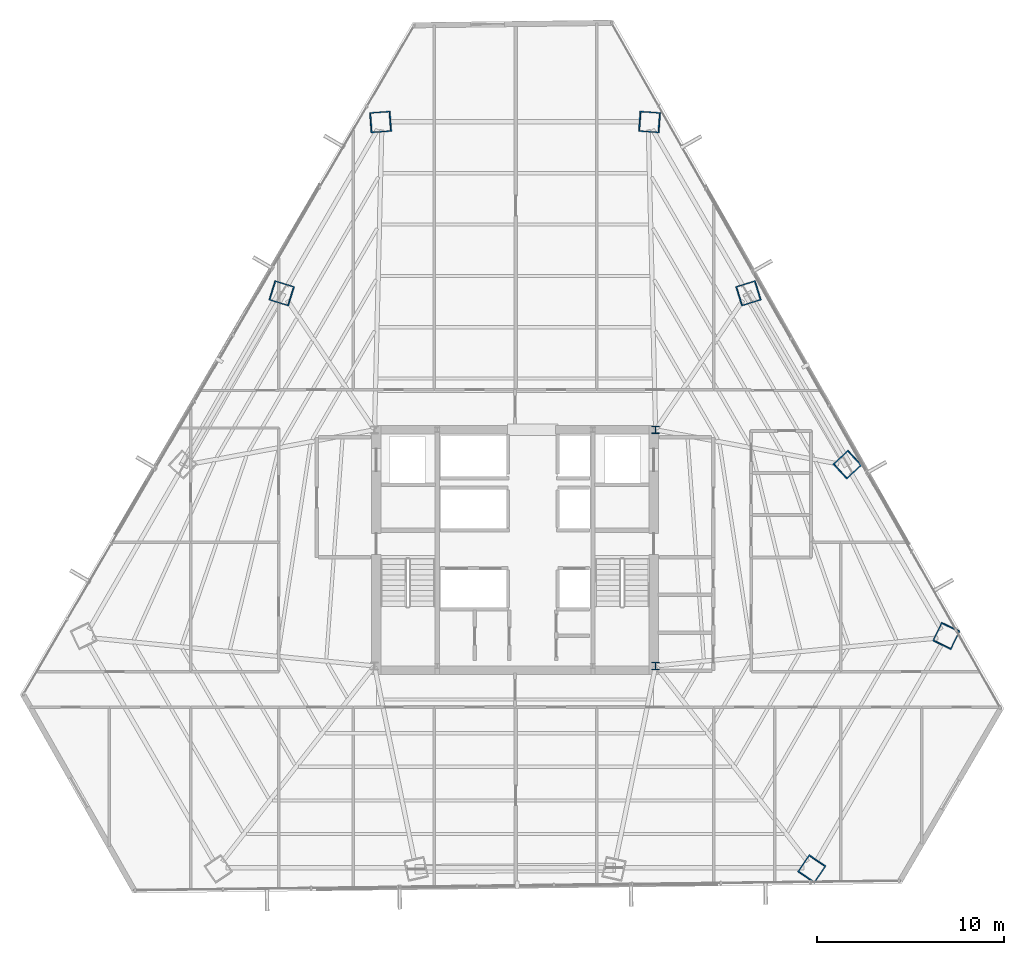
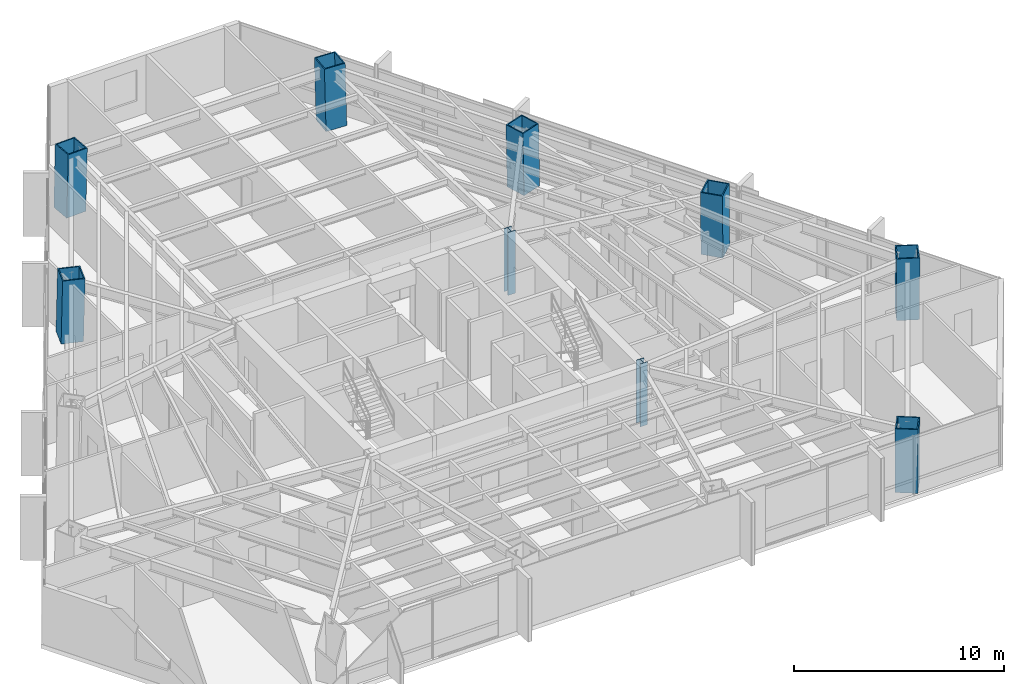
# One storey, part 3 of 37: 9 columns.
"""IFC4 building model written with IfcOpenShell, lengths in metres."""

from ifc_helpers import new_model, si_unit, direction, frame, origin, origin_2d, place, context, subcontext, project, spatial, hollow_rectangle, i_section, extrude, source, transform, mapped, material, material_profile, profile_set, type_object, type_shapes, element, save


model = new_model("IFC4")

# Units and contexts
model_context = context("Model", 3, precision=1e-05, world=origin(), true_north=direction((0.0, 1.0)))
body_context = subcontext(model_context, "Body", "Model", "MODEL_VIEW")
ifc_project = project(units=[si_unit("LENGTHUNIT", "METRE"), si_unit("AREAUNIT", "SQUARE_METRE"), si_unit("VOLUMEUNIT", "CUBIC_METRE"), si_unit("PLANEANGLEUNIT", "RADIAN"), si_unit("MASSUNIT", "GRAM", prefix="KILO")], contexts=[model_context])

# Site, building, storey
site_placement = place(None, origin())
site = spatial("IfcSite", under=ifc_project, at=site_placement, CompositionType="ELEMENT")
building_placement = place(site_placement, origin())
building = spatial("IfcBuilding", under=site, at=building_placement, Name="Caelisora Broadcast Tower", CompositionType="ELEMENT")
storey_placement = place(building_placement, frame((0.0, 0.0, 116.35009765625)))
storey = spatial("IfcBuildingStorey", under=building, at=storey_placement, Name="L30", CompositionType="ELEMENT", Elevation=116.35009765625)

# Columns
ifc_material_1 = material(Name="Steel Grade 350 (AS/NZS 3679.2)", Category="steel")
ifc_material_profile_1 = material_profile(ifc_material_1, i_section(OverallWidth=0.39990234375, OverallDepth=0.39990234375, WebThickness=0.02001953125, FlangeThickness=0.031982421875, at=origin_2d()), Name="Steel Grade 350 (AS/NZS 3679.2)")
ifc_profile_set_1 = profile_set([ifc_material_profile_1], Name="Steel Grade 350 (AS/NZS 3679.2)")
column_type_1 = type_object("IfcColumnType", Name="CC02", PredefinedType="COLUMN", material=ifc_profile_set_1)
shared_shape_1 = source(origin(), body_context, "Body", "SweptSolid", [
    extrude(i_section(OverallWidth=0.39990234375, OverallDepth=0.39990234375, WebThickness=0.02001953125, FlangeThickness=0.031982421875, at=origin_2d()), origin(), (0.0, 0.0, 1.0), 3.64990234375),
])
type_shapes(column_type_1, [shared_shape_1])
for number, where, z_axis, x_axis, name in (
    (1, (45.5, 17.39990234375, 0.0), (0.0, 0.0, 1.0), (1.0, 0.0, 0.0), "L30 column CC02"),
    (2, (45.5, 30.0, 0.0), (0.0, 0.0, 1.0), (1.0, 0.0, 0.0), "L30 column CC02"),
):
    element("IfcColumn", number, at=place(storey_placement, frame(where, z_axis=z_axis, x_axis=x_axis)), inside=storey, type_object=column_type_1, Name=name, PredefinedType="COLUMN", context=body_context, shape_type="MappedRepresentation", body=[
        mapped(shared_shape_1, transform((0.0, 0.0, 0.0), scale=1.0)),
    ])
ifc_material_2 = material(Name="Steel Grade 350 L15 (AS/NZS 3678)", Category="steel")
ifc_material_profile_2 = material_profile(ifc_material_2, hollow_rectangle(XDim=1.10009765625, YDim=1.10009765625, WallThickness=0.06005859375, at=origin_2d()), Name="Steel Grade 350 L15 (AS/NZS 3678)")
ifc_profile_set_2 = profile_set([ifc_material_profile_2], Name="Steel Grade 350 L15 (AS/NZS 3678)")
column_type_2 = type_object("IfcColumnType", Name="MC03", PredefinedType="COLUMN", material=ifc_profile_set_2)
shared_shape_2 = source(origin(), body_context, "Body", "SweptSolid", [
    extrude(hollow_rectangle(XDim=1.10009765625, YDim=1.10009765625, WallThickness=0.06005859375, at=origin_2d()), origin(), (0.0, 0.0, 1.0), 3.65087890625),
])
for number, where, z_axis, x_axis, name in (
    (3, (45.19140625, 46.42822265625, 0.0), (-0.023872756997, 0.001738632162, 0.999713493273), (-0.07263675076, -0.997358462359, 0.0), "L30 column MC03"),
    (4, (30.80859375, 46.42822265625, 0.0), (0.023872756997, 0.001738632162, 0.999713493273), (-0.07263675076, 0.997358462359, 0.0), "L30 column MC03"),
    (5, (53.82763671875, 6.557861328125, 0.0), (0.013440967269, 0.019793663242, 0.999713734673), (-0.827290216258, 0.561774775229, 0.0), "L30 column MC03"),
    (6, (61.01904296875, 19.013916015625, 0.0), (-0.010364932146, -0.021532310652, 0.999714423113), (0.901042175273, -0.433731481886, 0.0), "L30 column MC03"),
):
    element("IfcColumn", number, at=place(storey_placement, frame(where, z_axis=z_axis, x_axis=x_axis)), inside=storey, type_object=column_type_2, Name=name, PredefinedType="COLUMN", context=body_context, shape_type="MappedRepresentation", body=[
        mapped(shared_shape_2, transform((0.0, 0.0, 0.0), scale=1.0)),
    ])
shared_shape_3 = source(origin(), body_context, "Body", "SweptSolid", [
    extrude(hollow_rectangle(XDim=1.10009765625, YDim=1.10009765625, WallThickness=0.06005859375, at=origin_2d()), origin(), (0.0, 0.0, 1.0), 3.650634765625),
])
type_shapes(column_type_2, [shared_shape_2, shared_shape_3])
for number, where, z_axis, x_axis, name in (
    (7, (25.53271484375, 37.2900390625, 0.0), (0.019393993486, -0.006018825565, 0.999793802119), (0.296399214872, 0.955064136811, 0.0), "L30 column MC03"),
    (8, (55.7431640625, 28.152099609375, 0.0), (-0.014913313399, -0.013776424037, 0.999793880369), (0.678553674548, -0.734550822447, 0.0), "L30 column MC03"),
    (9, (50.46728515625, 37.2900390625, 0.0), (-0.019393993486, -0.006018825565, 0.999793802119), (0.296399214872, -0.955064136811, 0.0), "L30 column MC03"),
):
    element("IfcColumn", number, at=place(storey_placement, frame(where, z_axis=z_axis, x_axis=x_axis)), inside=storey, type_object=column_type_2, Name=name, PredefinedType="COLUMN", context=body_context, shape_type="MappedRepresentation", body=[
        mapped(shared_shape_3, transform((0.0, 0.0, 0.0), scale=1.0)),
    ])

save(model, "model.ifc")
